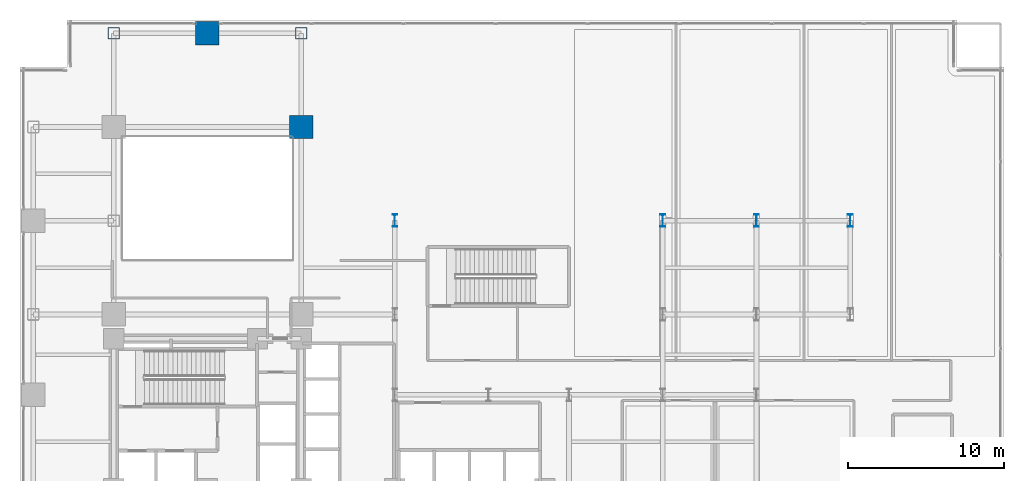
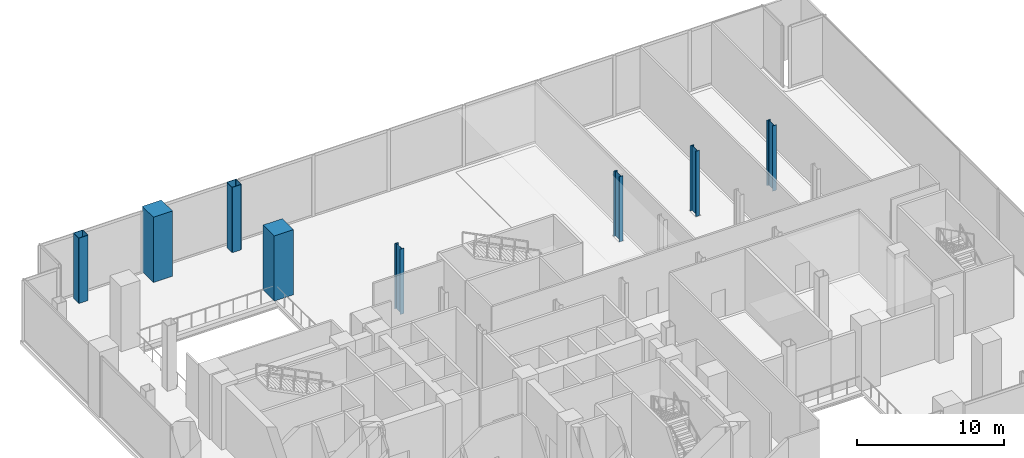
# One storey, part 2 of 28: 8 columns.
"""IFC4 building model written with IfcOpenShell, lengths in metres."""

from ifc_helpers import new_model, si_unit, direction, frame, origin, origin_2d, place, context, subcontext, project, spatial, rectangle, hollow_rectangle, i_section, extrude, material, material_profile, profile_set, type_object, element, save


model = new_model("IFC4")

# Units and contexts
model_context = context("Model", 3, precision=1e-05, world=origin(), true_north=direction((0.0, 1.0)))
body_context = subcontext(model_context, "Body", "Model", "MODEL_VIEW")
ifc_project = project(units=[si_unit("LENGTHUNIT", "METRE"), si_unit("AREAUNIT", "SQUARE_METRE"), si_unit("VOLUMEUNIT", "CUBIC_METRE"), si_unit("PLANEANGLEUNIT", "RADIAN"), si_unit("MASSUNIT", "GRAM", prefix="KILO"), si_unit("THERMODYNAMICTEMPERATUREUNIT", "KELVIN"), si_unit("POWERUNIT", "WATT")], contexts=[model_context])

# Site, building, storey
site_placement = place(None, origin())
site = spatial("IfcSite", under=ifc_project, at=site_placement, CompositionType="ELEMENT")
building_placement = place(site_placement, origin())
building = spatial("IfcBuilding", under=site, at=building_placement, Name="Svarakhadi Broadcast Tower", CompositionType="ELEMENT")
storey_placement = place(building_placement, frame((0.0, 0.0, 11.10009765625)))
storey = spatial("IfcBuildingStorey", under=building, at=storey_placement, Name="L02", CompositionType="ELEMENT", Elevation=11.10009765625)

# Columns
ifc_material_1 = material(Name="Steel S460ML (IS 2062 E450BR)", Category="steel")
ifc_material_profile_1 = material_profile(ifc_material_1, hollow_rectangle(XDim=0.75, YDim=0.75, WallThickness=0.034912109375, InnerFilletRadius=0.034912109375, OuterFilletRadius=0.050048828125, at=origin_2d()), Name="BOX 750x750x35")
ifc_profile_set_1 = profile_set([ifc_material_profile_1], Name="Steel S460ML (IS 2062 E450BR)")
column_type_1 = type_object("IfcColumnType", Name="Col_BOX750", PredefinedType="COLUMN", material=ifc_profile_set_1)
for number, where, z_axis, x_axis, name in (
    (1, (6.0, 47.14990234375, 0.0), (0.0, 0.0, 1.0), (1.0, 0.0, 0.0), "L02 Column G17"),
    (2, (18.0, 47.14990234375, 0.0), (0.0, 0.0, 1.0), (1.0, 0.0, 0.0), "L02 Column G31"),
):
    element("IfcColumn", number, at=place(storey_placement, frame(where, z_axis=z_axis, x_axis=x_axis)), inside=storey, type_object=column_type_1, Name=name, PredefinedType="COLUMN", context=body_context, shape_type="SweptSolid", body=[
        extrude(hollow_rectangle(XDim=0.75, YDim=0.75, WallThickness=0.034912109375, InnerFilletRadius=0.034912109375, OuterFilletRadius=0.050048828125, at=origin_2d()), origin(), (0.0, 0.0, 1.0), 5.39990234375),
    ])
ifc_material_2 = material(Name="Concrete C60/75 (IS 456 M70)", Category="concrete")
ifc_material_profile_2 = material_profile(ifc_material_2, rectangle(XDim=1.5, YDim=1.5, at=origin_2d()), Name="RC 1500x1500")
ifc_profile_set_2 = profile_set([ifc_material_profile_2], Name="Concrete C60/75 (IS 456 M70)")
column_type_2 = type_object("IfcColumnType", Name="Col_RC1500", PredefinedType="COLUMN", material=ifc_profile_set_2)
for number, where, z_axis, x_axis, name in (
    (3, (12.0, 47.14990234375, 0.0), (0.0, 0.0, 1.0), (1.0, 0.0, 0.0), "L02 Column G24"),
    (4, (18.0, 41.14990234375, 0.0), (0.0, 0.0, 1.0), (1.0, 0.0, 0.0), "L02 Column G30"),
):
    element("IfcColumn", number, at=place(storey_placement, frame(where, z_axis=z_axis, x_axis=x_axis)), inside=storey, type_object=column_type_2, Name=name, PredefinedType="COLUMN", context=body_context, shape_type="SweptSolid", body=[
        extrude(rectangle(XDim=1.5, YDim=1.5, at=origin_2d()), origin(), (0.0, 0.0, 1.0), 5.39990234375),
    ])
ifc_material_profile_3 = material_profile(ifc_material_1, i_section(OverallWidth=0.300048828125, OverallDepth=0.800048828125, WebThickness=0.017578125, FlangeThickness=0.032958984375, FilletRadius=0.030029296875, at=origin_2d()), Name="WPB 800x300x262")
ifc_profile_set_3 = profile_set([ifc_material_profile_3], Name="Steel S460ML (IS 2062 E450BR)")
column_type_3 = type_object("IfcColumnType", Name="Col_WPB800", PredefinedType="COLUMN", material=ifc_profile_set_3)
for number, where, z_axis, x_axis, name in (
    (5, (24.0, 35.14990234375, 0.0), (0.0, 0.0, 1.0), (1.0, 0.0, 0.0), "L02 Column G35"),
    (6, (41.14990234375, 35.14990234375, 0.0), (0.0, 0.0, 1.0), (1.0, 0.0, 0.0), "L02 Column G49"),
    (7, (47.14990234375, 35.14990234375, 0.0), (0.0, 0.0, 1.0), (1.0, 0.0, 0.0), "L02 Column G56"),
    (8, (53.14990234375, 35.14990234375, 0.0), (0.0, 0.0, 1.0), (1.0, 0.0, 0.0), "L02 Column G60"),
):
    element("IfcColumn", number, at=place(storey_placement, frame(where, z_axis=z_axis, x_axis=x_axis)), inside=storey, type_object=column_type_3, Name=name, PredefinedType="COLUMN", context=body_context, shape_type="SweptSolid", body=[
        extrude(i_section(OverallWidth=0.300048828125, OverallDepth=0.800048828125, WebThickness=0.017578125, FlangeThickness=0.032958984375, FilletRadius=0.030029296875, at=origin_2d()), origin(), (0.0, 0.0, 1.0), 5.39990234375),
    ])

save(model, "model.ifc")
